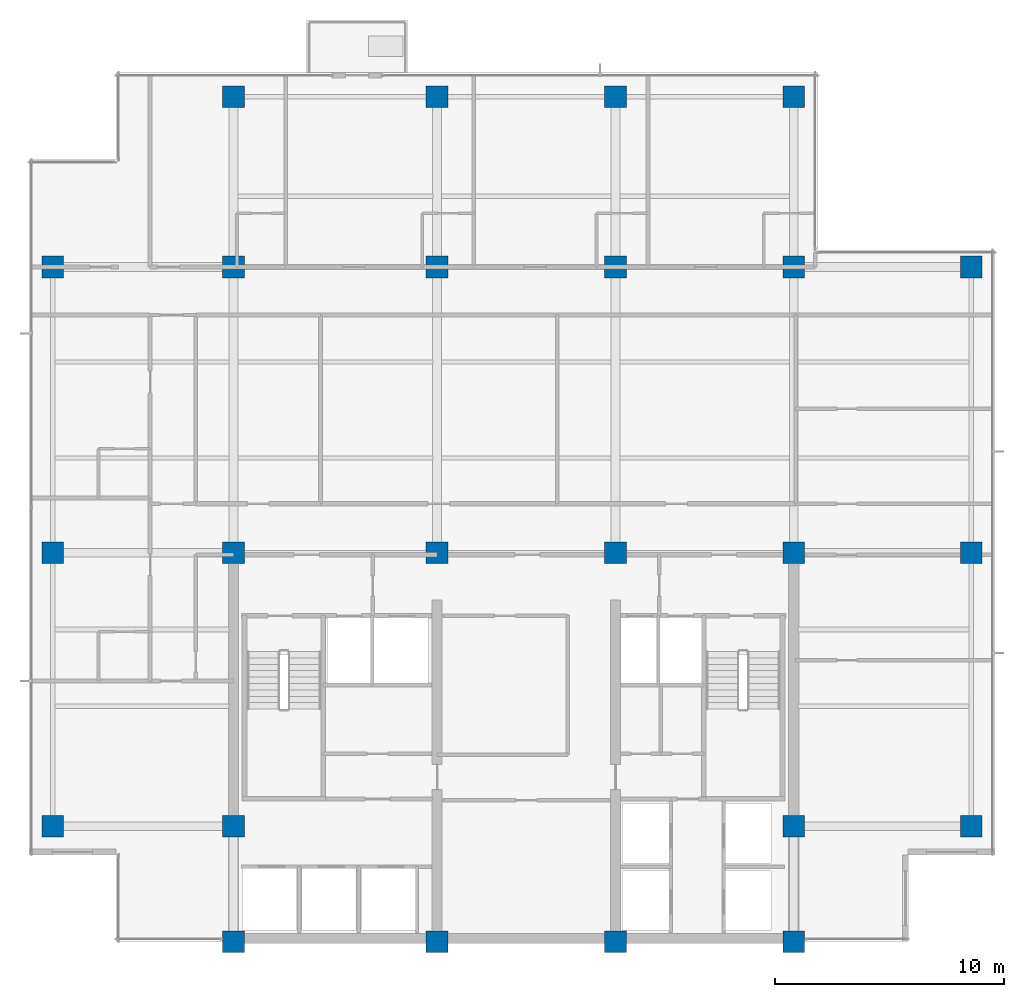
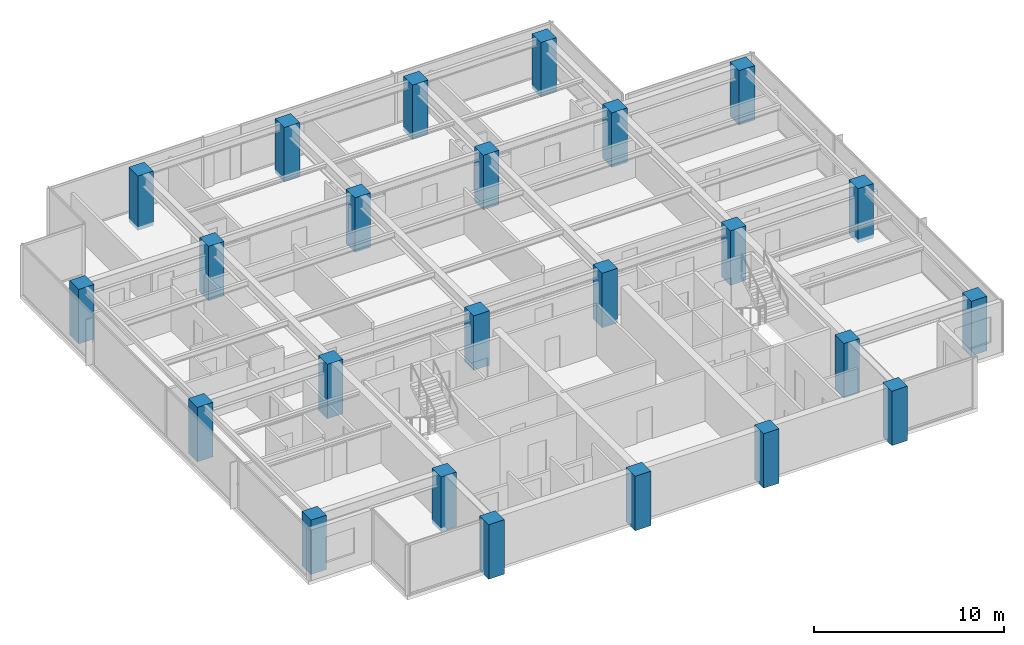
# One storey, part 1 of 14: 24 columns.
"""IFC4 building model written with IfcOpenShell, lengths in metres."""

from ifc_helpers import new_model, si_unit, direction, frame, origin, origin_2d, place, context, subcontext, project, spatial, rectangle, extrude, material, material_profile, profile_set, type_object, element, save


model = new_model("IFC4")

# Units and contexts
model_context = context("Model", 3, precision=1e-05, world=origin(), true_north=direction((0.0, 1.0)))
body_context = subcontext(model_context, "Body", "Model", "MODEL_VIEW")
ifc_project = project(units=[si_unit("LENGTHUNIT", "METRE"), si_unit("AREAUNIT", "SQUARE_METRE"), si_unit("VOLUMEUNIT", "CUBIC_METRE"), si_unit("PLANEANGLEUNIT", "RADIAN"), si_unit("MASSUNIT", "GRAM", prefix="KILO")], contexts=[model_context])

# Site, building, storey
site_placement = place(None, origin())
site = spatial("IfcSite", under=ifc_project, at=site_placement, CompositionType="ELEMENT")
building_placement = place(site_placement, origin())
building = spatial("IfcBuilding", under=site, at=building_placement, Name="Qalmaran Belvedere Hotel", CompositionType="ELEMENT")
storey_placement = place(building_placement, frame((0.0, 0.0, 207.39990234375)))
storey = spatial("IfcBuildingStorey", under=building, at=storey_placement, Name="L52", CompositionType="ELEMENT", Elevation=207.39990234375)

# Columns
ifc_material = material(Name="Concrete C50/60", Category="concrete")
ifc_material_profile = material_profile(ifc_material, rectangle(XDim=0.949951171875, YDim=0.949951171875, at=origin_2d()), Name="CC950X950")
ifc_profile_set = profile_set([ifc_material_profile], Name="Concrete C50/60")
column_type = type_object("IfcColumnType", Name="COL-Z4-CC950", PredefinedType="COLUMN", material=ifc_profile_set)
for number, where, z_axis, x_axis, name in (
    (1, (20.300048828125, 3.5, -0.239990234375), (0.0, 0.0, 1.0), (1.0, 0.0, 0.0), "L52 Column C4B"),
    (2, (29.199951171875, 3.5, -0.239990234375), (0.0, 0.0, 1.0), (1.0, 0.0, 0.0), "L52 Column C5B"),
    (3, (37.0, 3.5, -0.239990234375), (0.0, 0.0, 1.0), (1.0, 0.0, 0.0), "L52 Column C6B"),
    (4, (44.800048828125, 3.5, -0.239990234375), (0.0, 0.0, 1.0), (1.0, 0.0, 0.0), "L52 Column C7B"),
    (5, (20.300048828125, 8.550048828125, -0.239990234375), (0.0, 0.0, 1.0), (1.0, 0.0, 0.0), "L52 Column C4C"),
    (6, (44.800048828125, 8.550048828125, -0.239990234375), (0.0, 0.0, 1.0), (1.0, 0.0, 0.0), "L52 Column C7C"),
    (7, (20.300048828125, 20.5, -0.239990234375), (0.0, 0.0, 1.0), (1.0, 0.0, 0.0), "L52 Column C4D"),
    (8, (29.199951171875, 20.5, -0.239990234375), (0.0, 0.0, 1.0), (1.0, 0.0, 0.0), "L52 Column C5D"),
    (9, (37.0, 20.5, -0.239990234375), (0.0, 0.0, 1.0), (1.0, 0.0, 0.0), "L52 Column C6D"),
    (10, (44.800048828125, 20.5, -0.239990234375), (0.0, 0.0, 1.0), (1.0, 0.0, 0.0), "L52 Column C7D"),
    (11, (20.300048828125, 33.0, -0.239990234375), (0.0, 0.0, 1.0), (1.0, 0.0, 0.0), "L52 Column C4F"),
    (12, (29.199951171875, 33.0, -0.239990234375), (0.0, 0.0, 1.0), (1.0, 0.0, 0.0), "L52 Column C5F"),
    (13, (37.0, 33.0, -0.239990234375), (0.0, 0.0, 1.0), (1.0, 0.0, 0.0), "L52 Column C6F"),
    (14, (44.800048828125, 33.0, -0.239990234375), (0.0, 0.0, 1.0), (1.0, 0.0, 0.0), "L52 Column C7F"),
    (15, (12.39990234375, 8.550048828125, -0.239990234375), (0.0, 0.0, 1.0), (1.0, 0.0, 0.0), "L52 Column CW1"),
    (16, (12.39990234375, 20.5, -0.239990234375), (0.0, 0.0, 1.0), (1.0, 0.0, 0.0), "L52 Column CW3"),
    (17, (12.39990234375, 33.0, -0.239990234375), (0.0, 0.0, 1.0), (1.0, 0.0, 0.0), "L52 Column CW4"),
    (18, (52.550048828125, 8.550048828125, -0.239990234375), (0.0, 0.0, 1.0), (1.0, 0.0, 0.0), "L52 Column CE1"),
    (19, (52.550048828125, 20.5, -0.239990234375), (0.0, 0.0, 1.0), (1.0, 0.0, 0.0), "L52 Column CE3"),
    (20, (52.550048828125, 33.0, -0.239990234375), (0.0, 0.0, 1.0), (1.0, 0.0, 0.0), "L52 Column CE4"),
    (21, (20.300048828125, 40.449951171875, -0.239990234375), (0.0, 0.0, 1.0), (1.0, 0.0, 0.0), "L52 Column CN1"),
    (22, (29.199951171875, 40.449951171875, -0.239990234375), (0.0, 0.0, 1.0), (1.0, 0.0, 0.0), "L52 Column CN2"),
    (23, (37.0, 40.449951171875, -0.239990234375), (0.0, 0.0, 1.0), (1.0, 0.0, 0.0), "L52 Column CN3"),
    (24, (44.800048828125, 40.449951171875, -0.239990234375), (0.0, 0.0, 1.0), (1.0, 0.0, 0.0), "L52 Column CN4"),
):
    element("IfcColumn", number, at=place(storey_placement, frame(where, z_axis=z_axis, x_axis=x_axis)), inside=storey, type_object=column_type, Name=name, PredefinedType="COLUMN", context=body_context, shape_type="SweptSolid", body=[
        extrude(rectangle(XDim=0.949951171875, YDim=0.949951171875, at=origin_2d()), origin(), (0.0, 0.0, 1.0), 3.5),
    ])

save(model, "model.ifc")
